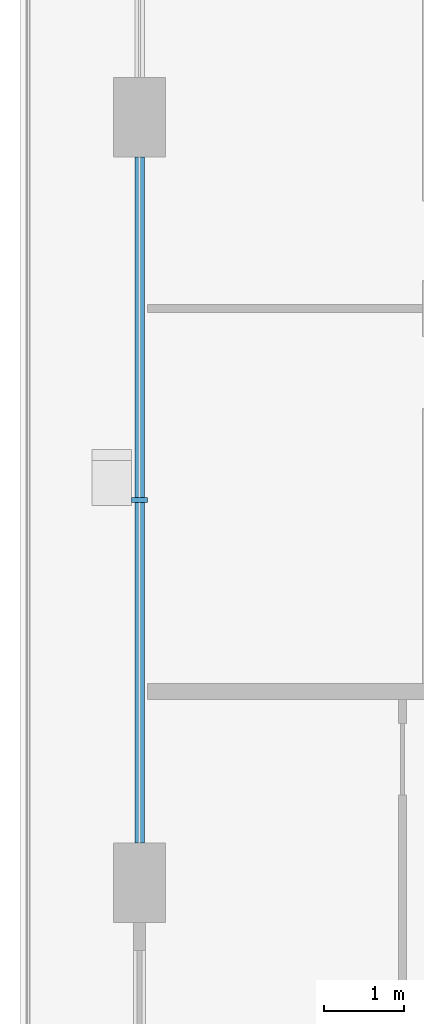
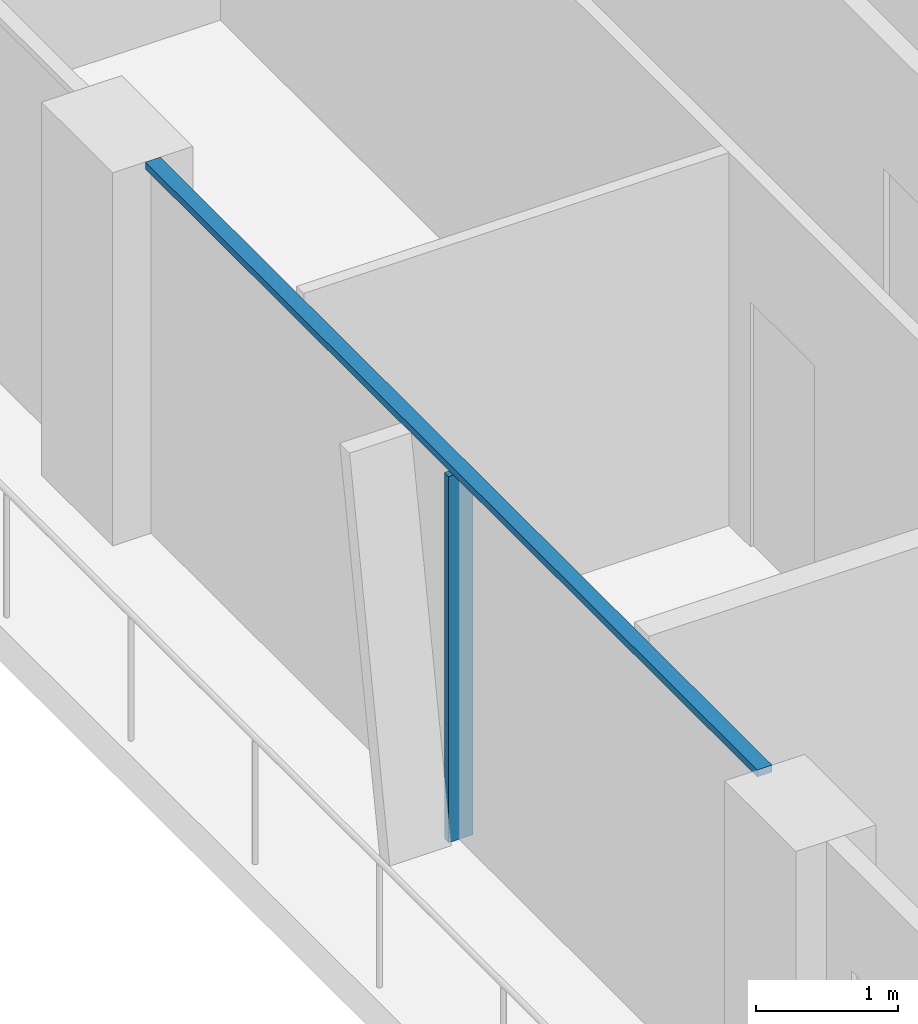
# One storey, part 3 of 22: 2 members, 1 element without a shape of its own.
"""IFC4 building model written with IfcOpenShell, lengths in metres."""

import ifcopenshell
import ifcopenshell.guid

model = None  # the IFC model being written
_history = None  # IfcOwnerHistory: only IFC2X3 demands one
_inside = {}  # id of a spatial element -> (the spatial element, [elements in it])
_under = {}  # id of a project, library or spatial element -> (it, [spatial elements below it])
_declared = {}  # id of a project -> (the project, [libraries it declares])
_typed = {}  # id of a type object -> (the type object, [elements of that type])
_made_of = {}  # id of a material, layer set ... -> (it, [elements and type objects made of it])


def new_model(schema):
    """Start an empty IFC model of exactly this schema.

    Asked for "IFC4X3", IfcOpenShell would pick the latest addendum, in which some entities
    have other attributes; the version numbers below select the first issue.
    IFC2X3 requires an IfcOwnerHistory on every rooted entity: one is made here for all.
    """
    global model, _history
    if schema == "IFC4X3":
        model = ifcopenshell.file(schema_version=(4, 3, 0, 0))
    else:
        model = ifcopenshell.file(schema=schema)
    _inside.clear()
    _under.clear()
    _declared.clear()
    _typed.clear()
    _made_of.clear()
    _history = None
    if model.schema == "IFC2X3":
        org = make("IfcOrganization", Name="unknown")
        user = make(
            "IfcPersonAndOrganization",
            ThePerson=make("IfcPerson", FamilyName="unknown"),
            TheOrganization=org,
        )
        app = make(
            "IfcApplication",
            ApplicationDeveloper=org,
            Version="unknown",
            ApplicationFullName="unknown",
            ApplicationIdentifier="unknown",
        )
        _history = make(
            "IfcOwnerHistory",
            OwningUser=user,
            OwningApplication=app,
            ChangeAction="ADDED",
            CreationDate=0,
        )
    return model


def make(cls, **values):
    """One entity of the class cls with the attributes given. An attribute that is None is left unset."""
    return model.create_entity(
        cls, **{name: value for name, value in values.items() if value is not None}
    )


def rooted(cls, **values):
    """An entity with a GlobalId (a new one), such as an element, a storey or a relation."""
    return make(cls, GlobalId=ifcopenshell.guid.new(), OwnerHistory=_history, **values)


def si_unit(unit_type, name, prefix=None):
    """IfcSIUnit, for example si_unit("LENGTHUNIT", "METRE", prefix="MILLI")."""
    return make("IfcSIUnit", UnitType=unit_type, Prefix=prefix, Name=name)


def assignment(units):
    """IfcUnitAssignment: the units of a project."""
    return None if units is None else make("IfcUnitAssignment", Units=units)


def point(xyz):
    """IfcCartesianPoint."""
    return None if xyz is None else make("IfcCartesianPoint", Coordinates=xyz)


def direction(xyz):
    """IfcDirection."""
    return None if xyz is None else make("IfcDirection", DirectionRatios=xyz)


def frame(location, z_axis=None, x_axis=None):
    """IfcAxis2Placement3D, a coordinate frame: its origin and axes. An axis left out is left unset."""
    return make(
        "IfcAxis2Placement3D",
        Location=point(location),
        Axis=direction(z_axis),
        RefDirection=direction(x_axis),
    )


def frame_2d(location, x_axis=None):
    """IfcAxis2Placement2D, a coordinate frame in the plane: its origin and x axis."""
    return make(
        "IfcAxis2Placement2D", Location=point(location), RefDirection=direction(x_axis)
    )


def origin():
    """The frame at (0, 0, 0) with its axes left unset."""
    return frame((0.0, 0.0, 0.0))


def origin_2d():
    """The frame at (0, 0) in the plane with its x axis left unset."""
    return frame_2d((0.0, 0.0))


def place(relative_to, where):
    """IfcLocalPlacement: puts the frame where relative to a parent placement (None: the world)."""
    return make(
        "IfcLocalPlacement", PlacementRelTo=relative_to, RelativePlacement=where
    )


def context(
    kind, dimensions, precision=None, world=None, true_north=None, identifier=None
):
    """IfcGeometricRepresentationContext, for example the 3D "Model" context."""
    return make(
        "IfcGeometricRepresentationContext",
        ContextIdentifier=identifier,
        ContextType=kind,
        CoordinateSpaceDimension=dimensions,
        Precision=precision,
        WorldCoordinateSystem=world,
        TrueNorth=true_north,
    )


def subcontext(parent, identifier, kind, view, scale=None):
    """IfcGeometricRepresentationSubContext, for example "Body" below "Model"."""
    return make(
        "IfcGeometricRepresentationSubContext",
        ContextIdentifier=identifier,
        ContextType=kind,
        ParentContext=parent,
        TargetScale=scale,
        TargetView=view,
    )


def project(units=None, contexts=None):
    """IfcProject with its units and contexts."""
    return rooted(
        "IfcProject",
        Name="project",
        RepresentationContexts=contexts,
        UnitsInContext=assignment(units),
    )


def spatial(cls, under=None, at=None, **own):
    """A site, building, storey or space (cls), placed at a placement, below another one or the project."""
    s = rooted(cls, ObjectPlacement=at, **own)
    if under is not None:
        _under.setdefault(under.id(), (under, []))[1].append(s)
    return s


def profile(cls, at=None, kind="AREA", **sizes):
    """A parametric profile (cls). Its sizes go by their IFC names, for example OverallWidth=200.0."""
    return make(cls, ProfileType=kind, Position=at, **sizes)


def rectangle(**sizes):
    """IfcRectangleProfileDef."""
    return profile("IfcRectangleProfileDef", **sizes)


def extrude(swept, where, along, depth):
    """IfcExtrudedAreaSolid: the profile swept, set in the frame where, extruded along a direction by depth."""
    return make(
        "IfcExtrudedAreaSolid",
        SweptArea=swept,
        Position=where,
        ExtrudedDirection=direction(along),
        Depth=depth,
    )


def shape(context_of_items, identifier, shape_type, items):
    """IfcShapeRepresentation: the items that make up one representation, for example the "Body"."""
    return make(
        "IfcShapeRepresentation",
        ContextOfItems=context_of_items,
        RepresentationIdentifier=identifier,
        RepresentationType=shape_type,
        Items=items,
    )


def material(Name=None, Category=None):
    """IfcMaterial."""
    return make("IfcMaterial", Name=Name, Category=Category)


def layer(
    of_material, thickness, ventilated=None, Name=None, Category=None, Priority=None
):
    """IfcMaterialLayer: one layer of a wall or slab, of a material (None: an air gap)."""
    return make(
        "IfcMaterialLayer",
        Material=of_material,
        LayerThickness=thickness,
        IsVentilated=ventilated,
        Name=Name,
        Category=Category,
        Priority=Priority,
    )


def layer_set(layers, Name=None):
    """IfcMaterialLayerSet."""
    return make("IfcMaterialLayerSet", MaterialLayers=layers, LayerSetName=Name)


def material_profile(
    of_material, cross_section, Name=None, Category=None, Priority=None
):
    """IfcMaterialProfile: a cross section and its material."""
    return make(
        "IfcMaterialProfile",
        Name=Name,
        Material=of_material,
        Profile=cross_section,
        Priority=Priority,
        Category=Category,
    )


def profile_set(profiles, Name=None, composite=None):
    """IfcMaterialProfileSet."""
    return make(
        "IfcMaterialProfileSet",
        Name=Name,
        MaterialProfiles=profiles,
        CompositeProfile=composite,
    )


def made_of(thing, what):
    """Note that an element or type object is made of a material, layer set ...; save() writes the relation."""
    if what is not None:
        _made_of.setdefault(what.id(), (what, []))[1].append(thing)
    return thing


def type_object(cls, material=None, **own):
    """A type object (cls), such as IfcWallType, which elements share."""
    return made_of(rooted(cls, **own), material)


def element(
    cls,
    number,
    at=None,
    inside=None,
    cuts=None,
    type_object=None,
    material=None,
    context=None,
    identifier="Body",
    shape_type=None,
    held_by="IfcProductDefinitionShape",
    body=None,
    shapes=None,
    **own,
):
    """One element of the class cls, such as IfcWall. Its Tag is "e" and its number.

    at: its placement. inside: the storey or other place that contains it. cuts: it is an
    opening in that element (IfcRelVoidsElement). A single representation is given by context,
    identifier, shape_type and body (its items); several are given by shapes. held_by: the class
    of the entity that holds the representations. save() writes the other relations.
    """
    e = rooted(cls, Tag="e%d" % number, ObjectPlacement=at, **own)
    if body is not None:
        shapes = [shape(context, identifier, shape_type, body)]
    if shapes is not None:
        e.Representation = make(held_by, Representations=shapes)
    if inside is not None:
        _inside.setdefault(inside.id(), (inside, []))[1].append(e)
    if cuts is not None:
        rooted(
            "IfcRelVoidsElement", RelatingBuildingElement=cuts, RelatedOpeningElement=e
        )
    if type_object is not None:
        _typed.setdefault(type_object.id(), (type_object, []))[1].append(e)
    return made_of(e, material)


def aggregate(whole, parts):
    """IfcRelAggregates: a whole, such as a stair, and the parts it consists of."""
    return rooted("IfcRelAggregates", RelatingObject=whole, RelatedObjects=parts)


def save(model, path):
    """Write the relations noted so far, then the file.

    IfcRelAggregates (storeys below a building ...), IfcRelContainedInSpatialStructure (elements
    in a storey), IfcRelDefinesByType, IfcRelAssociatesMaterial and IfcRelDeclares: one each for
    every whole, place, type object, material and project.
    """
    for whole, parts in _under.values():
        aggregate(whole, parts)
    for where, things in _inside.values():
        rooted(
            "IfcRelContainedInSpatialStructure",
            RelatedElements=things,
            RelatingStructure=where,
        )
    for kind, things in _typed.values():
        rooted("IfcRelDefinesByType", RelatedObjects=things, RelatingType=kind)
    for what, things in _made_of.values():
        rooted("IfcRelAssociatesMaterial", RelatedObjects=things, RelatingMaterial=what)
    for by, libraries in _declared.values():
        rooted("IfcRelDeclares", RelatingContext=by, RelatedDefinitions=libraries)
    model.write(path)


model = new_model("IFC4")

# Units and contexts
model_context = context("Model", 3, precision=1e-05, world=origin(), true_north=direction((0.0, 1.0)))
body_context = subcontext(model_context, "Body", "Model", "MODEL_VIEW")
ifc_project = project(units=[si_unit("LENGTHUNIT", "METRE"), si_unit("AREAUNIT", "SQUARE_METRE"), si_unit("VOLUMEUNIT", "CUBIC_METRE"), si_unit("PLANEANGLEUNIT", "RADIAN"), si_unit("MASSUNIT", "GRAM", prefix="KILO")], contexts=[model_context])

# Site, building, storey
site_placement = place(None, origin())
site = spatial("IfcSite", under=ifc_project, at=site_placement, CompositionType="ELEMENT")
building_placement = place(site_placement, origin())
building = spatial("IfcBuilding", under=site, at=building_placement, Name="Madar Terraces", CompositionType="ELEMENT")
storey_placement = place(building_placement, frame((0.0, 0.0, 182.39990234375)))
storey = spatial("IfcBuildingStorey", under=building, at=storey_placement, Name="L47", CompositionType="ELEMENT", Elevation=182.39990234375)

# Curtain wall, members
ifc_material_1 = material(Name="Glass, ceramic frit dark grey, with black aluminium frame", Category="aluminium")
ifc_layer = layer(ifc_material_1, 0.199951171875)
ifc_layer_set = layer_set([ifc_layer], Name="Facade curtain wall, fritted glass")
curtain_wall_type = type_object("IfcCurtainWallType", Name="Facade curtain wall, fritted glass", PredefinedType="NOTDEFINED", material=ifc_layer_set)
curtain_wall_placement = place(storey_placement, origin())
curtain_wall = element("IfcCurtainWall", 1, at=curtain_wall_placement, inside=storey, type_object=curtain_wall_type, Name="Outer skin curtain wall west bay 2", PredefinedType="NOTDEFINED")
ifc_material_2 = material(Name="Aluminium, black anodised", Category="aluminium")
ifc_material_profile_1 = material_profile(ifc_material_2, rectangle(XDim=0.199951171875, YDim=0.06005859375, at=origin_2d()), Name="Facade mullion 60x200")
ifc_profile_set_1 = profile_set([ifc_material_profile_1], Name="Aluminium, black anodised")
member_type_1 = type_object("IfcMemberType", Name="Facade mullion 60x200", PredefinedType="MULLION", material=ifc_profile_set_1)
member_1_placement = place(storey_placement, frame((4.800048828125, 28.800048828125, 0.0), z_axis=(0.0, 0.0, 1.0), x_axis=(1.0, 0.0, 0.0)))
member_1 = element("IfcMember", 2, at=member_1_placement, type_object=member_type_1, Name="Mullion 1", PredefinedType="MULLION", context=body_context, shape_type="SweptSolid", body=[
    extrude(rectangle(XDim=0.199951171875, YDim=0.06005859375, at=origin_2d()), origin(), (0.0, 0.0, 1.0), 3.14013671875),
])
ifc_material_3 = material(Name="Aluminium, black anodised", Category="aluminium")
ifc_material_profile_2 = material_profile(ifc_material_3, rectangle(XDim=0.1201171875, YDim=0.06005859375, at=origin_2d()), Name="Facade transom 60x120")
ifc_profile_set_2 = profile_set([ifc_material_profile_2], Name="Aluminium, black anodised")
member_type_2 = type_object("IfcMemberType", Name="Facade transom 60x120", PredefinedType="USERDEFINED", material=ifc_profile_set_2)
member_2_placement = place(storey_placement, frame((4.800048828125, 33.10009765625, 3.170166015625), z_axis=(0.0, -1.0, 0.0), x_axis=(1.0, 0.0, 0.0)))
member_2 = element("IfcMember", 3, at=member_2_placement, type_object=member_type_2, Name="Transom 1", ObjectType="TRANSOM", PredefinedType="USERDEFINED", context=body_context, shape_type="SweptSolid", body=[
    extrude(rectangle(XDim=0.1201171875, YDim=0.06005859375, at=origin_2d()), origin(), (0.0, 0.0, 1.0), 8.60009765625),
])
aggregate(curtain_wall, [member_1, member_2])

save(model, "model.ifc")
